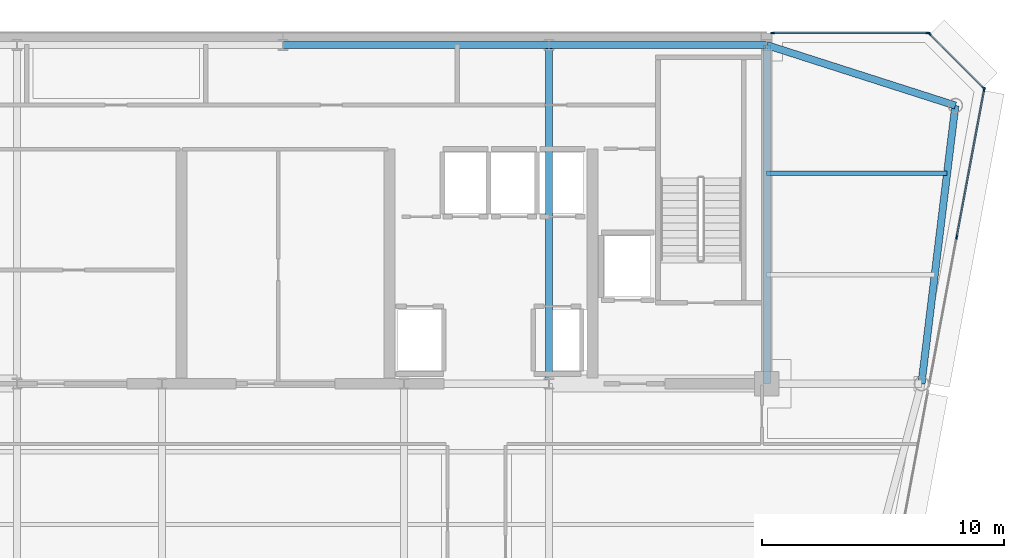
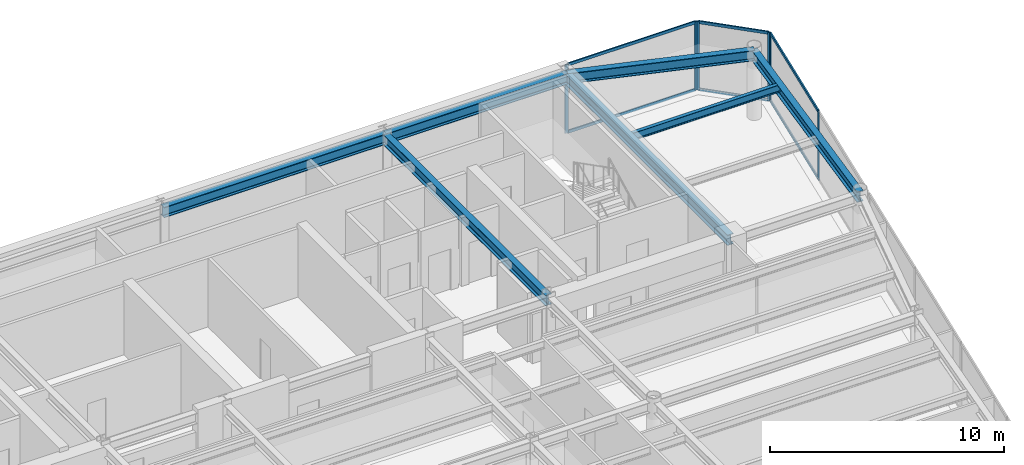
# One storey, part 8 of 18: 12 members, 7 beams, 3 elements without a shape of their own.
"""IFC4 building model written with IfcOpenShell, lengths in metres."""

from ifc_helpers import new_model, si_unit, direction, frame, origin, origin_2d, place, context, subcontext, project, spatial, rectangle, i_section, extrude, source, transform, mapped, material, layer, layer_set, material_profile, profile_set, type_object, element, aggregate, save


model = new_model("IFC4")

# Units and contexts
model_context = context("Model", 3, precision=1e-05, world=origin(), true_north=direction((0.0, 1.0)))
body_context = subcontext(model_context, "Body", "Model", "MODEL_VIEW")
ifc_project = project(units=[si_unit("LENGTHUNIT", "METRE"), si_unit("AREAUNIT", "SQUARE_METRE"), si_unit("VOLUMEUNIT", "CUBIC_METRE"), si_unit("PLANEANGLEUNIT", "RADIAN"), si_unit("MASSUNIT", "GRAM", prefix="KILO")], contexts=[model_context])

# Site, building, storey
site_placement = place(None, origin())
site = spatial("IfcSite", under=ifc_project, at=site_placement, CompositionType="ELEMENT")
building_placement = place(site_placement, origin())
building = spatial("IfcBuilding", under=site, at=building_placement, Name="Vaeldorn Concourse Tower", CompositionType="ELEMENT")
storey_placement = place(building_placement, frame((0.0, 0.0, 253.60009765625)))
storey = spatial("IfcBuildingStorey", under=building, at=storey_placement, Name="L65", CompositionType="ELEMENT", Elevation=253.60009765625)

# Beams
ifc_material_1 = material(Name="Steel S355", Category="steel")
ifc_material_profile_1 = material_profile(ifc_material_1, i_section(OverallWidth=0.179931640625, OverallDepth=0.39990234375, WebThickness=0.008544921875, FlangeThickness=0.013427734375, FilletRadius=0.02099609375, at=origin_2d()), Name="IPE 400")
ifc_profile_set_1 = profile_set([ifc_material_profile_1], Name="Steel S355")
beam_type_1 = type_object("IfcBeamType", Name="BM-JS-IPE400", PredefinedType="JOIST", material=ifc_profile_set_1)
shared_shape_1 = source(origin(), body_context, "Body", "SweptSolid", [
    extrude(i_section(OverallWidth=0.179931640625, OverallDepth=0.39990234375, WebThickness=0.008544921875, FlangeThickness=0.013427734375, FilletRadius=0.02099609375, at=origin_2d()), origin(), (0.0, 0.0, 1.0), 7.458984375),
])
beam_1_placement = place(storey_placement, frame((54.0, 45.199951171875, 3.3798828125), z_axis=(1.0, 0.0, 0.0), x_axis=(0.0, 1.0, 0.0)))
element("IfcBeam", 1, at=beam_1_placement, inside=storey, type_object=beam_type_1, Name="Beam JS-L65-NE-452", PredefinedType="JOIST", context=body_context, shape_type="MappedRepresentation", body=[
    mapped(shared_shape_1, transform((0.0, 0.0, 0.0), scale=1.0)),
])
ifc_material_profile_2 = material_profile(ifc_material_1, i_section(OverallWidth=0.300048828125, OverallDepth=0.550048828125, WebThickness=0.014892578125, FlangeThickness=0.029052734375, FilletRadius=0.027099609375, at=origin_2d()), Name="HEB 550")
ifc_profile_set_2 = profile_set([ifc_material_profile_2], Name="Steel S355")
beam_type_2 = type_object("IfcBeamType", Name="BM-PG-HEB550", PredefinedType="BEAM", material=ifc_profile_set_2)
shared_shape_2 = source(origin(), body_context, "Body", "SweptSolid", [
    extrude(i_section(OverallWidth=0.300048828125, OverallDepth=0.550048828125, WebThickness=0.014892578125, FlangeThickness=0.029052734375, FilletRadius=0.027099609375, at=origin_2d()), origin(), (0.0, 0.0, 1.0), 9.0),
])
beam_2_placement = place(storey_placement, frame((45.0, 50.5, 3.304931640625), z_axis=(1.0, 0.0, 0.0), x_axis=(0.0, 1.0, 0.0)))
element("IfcBeam", 2, at=beam_2_placement, inside=storey, type_object=beam_type_2, Name="Beam BM-L65-C-HC4-C-HC5", PredefinedType="BEAM", context=body_context, shape_type="MappedRepresentation", body=[
    mapped(shared_shape_2, transform((0.0, 0.0, 0.0), scale=1.0)),
])
shared_shape_3 = source(origin(), body_context, "Body", "SweptSolid", [
    extrude(i_section(OverallWidth=0.300048828125, OverallDepth=0.550048828125, WebThickness=0.014892578125, FlangeThickness=0.029052734375, FilletRadius=0.027099609375, at=origin_2d()), origin(), (0.0, 0.0, 1.0), 11.0),
])
beam_3_placement = place(storey_placement, frame((34.0, 50.5, 3.304931640625), z_axis=(1.0, 0.0, 0.0), x_axis=(0.0, 1.0, 0.0)))
element("IfcBeam", 3, at=beam_3_placement, inside=storey, type_object=beam_type_2, Name="Beam BM-L65-C-HC3-C-HC4", PredefinedType="BEAM", context=body_context, shape_type="MappedRepresentation", body=[
    mapped(shared_shape_3, transform((0.0, 0.0, 0.0), scale=1.0)),
])
shared_shape_4 = source(origin(), body_context, "Body", "SweptSolid", [
    extrude(i_section(OverallWidth=0.300048828125, OverallDepth=0.550048828125, WebThickness=0.014892578125, FlangeThickness=0.029052734375, FilletRadius=0.027099609375, at=origin_2d()), origin(), (0.0, 0.0, 1.0), 14.0),
])
for number, where, z_axis, x_axis, name in (
    (4, (45.0, 36.5, 3.304931640625), (0.0, 1.0, 0.0), (-1.0, 0.0, 0.0), "Beam BM-L65-C-FC5-C-HC4"),
    (5, (54.0, 36.5, 3.304931640625), (0.0, 1.0, 0.0), (-1.0, 0.0, 0.0), "Beam BM-L65-C-FC6-C-HC5"),
):
    element("IfcBeam", number, at=place(storey_placement, frame(where, z_axis=z_axis, x_axis=x_axis)), inside=storey, type_object=beam_type_2, Name=name, PredefinedType="BEAM", context=body_context, shape_type="MappedRepresentation", body=[
        mapped(shared_shape_4, transform((0.0, 0.0, 0.0), scale=1.0)),
    ])
shared_shape_5 = source(origin(), body_context, "Body", "SweptSolid", [
    extrude(i_section(OverallWidth=0.300048828125, OverallDepth=0.550048828125, WebThickness=0.014892578125, FlangeThickness=0.029052734375, FilletRadius=0.027099609375, at=origin_2d()), origin(), (0.0, 0.0, 1.0), 8.19091796875),
])
beam_4_placement = place(storey_placement, frame((54.0, 50.5, 3.304931640625), z_axis=(0.952282843383, -0.305216949396, 0.0), x_axis=(0.305216949396, 0.952282843383, 0.0)))
element("IfcBeam", 6, at=beam_4_placement, inside=storey, type_object=beam_type_2, Name="Beam BM-L65-C-HC5-C-NE1", PredefinedType="BEAM", context=body_context, shape_type="MappedRepresentation", body=[
    mapped(shared_shape_5, transform((0.0, 0.0, 0.0), scale=1.0)),
])
shared_shape_6 = source(origin(), body_context, "Body", "SweptSolid", [
    extrude(i_section(OverallWidth=0.300048828125, OverallDepth=0.550048828125, WebThickness=0.014892578125, FlangeThickness=0.029052734375, FilletRadius=0.027099609375, at=origin_2d()), origin(), (0.0, 0.0, 1.0), 11.5849609375),
])
beam_5_placement = place(storey_placement, frame((61.800048828125, 48.0, 3.304931640625), z_axis=(-0.120859382899, -0.992669637677, 0.0), x_axis=(0.992669637677, -0.120859382899, 0.0)))
element("IfcBeam", 7, at=beam_5_placement, inside=storey, type_object=beam_type_2, Name="Beam BM-L65-C-NE1-C-NE2", PredefinedType="BEAM", context=body_context, shape_type="MappedRepresentation", body=[
    mapped(shared_shape_6, transform((0.0, 0.0, 0.0), scale=1.0)),
])

# Curtain wall, members
ifc_material_2 = material(Name="Anodised Bronze Aluminium", Category="aluminium")
ifc_layer = layer(ifc_material_2, 0.179931640625)
ifc_layer_set = layer_set([ifc_layer], Name="Anodised Bronze Aluminium")
curtain_wall_type = type_object("IfcCurtainWallType", Name="CW-SYS-05", PredefinedType="NOTDEFINED", material=ifc_layer_set)
curtain_wall_1_placement = place(storey_placement, origin())
curtain_wall_1 = element("IfcCurtainWall", 8, at=curtain_wall_1_placement, inside=storey, type_object=curtain_wall_type, Name="Unitised Curtain Wall CW-L65-E07-2", PredefinedType="NOTDEFINED")
ifc_material_profile_3 = material_profile(ifc_material_2, rectangle(XDim=0.06494140625, YDim=0.169921875, at=origin_2d()), Name="CWM 65x170")
ifc_profile_set_3 = profile_set([ifc_material_profile_3], Name="Anodised Bronze Aluminium")
member_type_1 = type_object("IfcMemberType", Name="CWM-BRONZE-170", PredefinedType="MULLION", material=ifc_profile_set_3)
shared_shape_7 = source(origin(), body_context, "Body", "SweptSolid", [
    extrude(rectangle(XDim=0.06494140625, YDim=0.169921875, at=origin_2d()), origin(), (0.0, 0.0, 1.0), 3.579833984375),
])
member_1_placement = place(storey_placement, frame((61.857421875, 42.564208984375, 0.0), z_axis=(0.0, 0.0, 1.0), x_axis=(-0.983102768025, 0.183054493257, 0.0)))
member_1 = element("IfcMember", 9, at=member_1_placement, type_object=member_type_1, Name="CW-05 mullion 2", PredefinedType="MULLION", context=body_context, shape_type="MappedRepresentation", body=[
    mapped(shared_shape_7, transform((0.0, 0.0, 0.0), scale=1.0)),
])
member_2_placement = place(storey_placement, frame((62.994140625, 48.66796875, 0.0), z_axis=(0.0, 0.0, 1.0), x_axis=(-0.983102768025, 0.183054493257, 0.0)))
member_2 = element("IfcMember", 10, at=member_2_placement, type_object=member_type_1, Name="CW-05 mullion 3", PredefinedType="MULLION", context=body_context, shape_type="MappedRepresentation", body=[
    mapped(shared_shape_7, transform((0.0, 0.0, 0.0), scale=1.0)),
])

curtain_wall_2_placement = place(storey_placement, origin())
curtain_wall_2 = element("IfcCurtainWall", 11, at=curtain_wall_2_placement, inside=storey, type_object=curtain_wall_type, Name="Unitised Curtain Wall CW-L65-E08-1", PredefinedType="NOTDEFINED")
member_3_placement = place(storey_placement, frame((62.97705078125, 48.722900390625, 0.0), z_axis=(0.0, 0.0, 1.0), x_axis=(-0.707106781187, -0.707106781187, 0.0)))
member_3 = element("IfcMember", 12, at=member_3_placement, type_object=member_type_1, Name="CW-05 mullion 1", PredefinedType="MULLION", context=body_context, shape_type="MappedRepresentation", body=[
    mapped(shared_shape_7, transform((0.0, 0.0, 0.0), scale=1.0)),
])
member_4_placement = place(storey_placement, frame((60.722900390625, 50.97705078125, 0.0), z_axis=(0.0, 0.0, 1.0), x_axis=(-0.707106781187, -0.707106781187, 0.0)))
member_4 = element("IfcMember", 13, at=member_4_placement, type_object=member_type_1, Name="CW-05 mullion 2", PredefinedType="MULLION", context=body_context, shape_type="MappedRepresentation", body=[
    mapped(shared_shape_7, transform((0.0, 0.0, 0.0), scale=1.0)),
])

curtain_wall_3_placement = place(storey_placement, origin())
curtain_wall_3 = element("IfcCurtainWall", 14, at=curtain_wall_3_placement, inside=storey, type_object=curtain_wall_type, Name="Unitised Curtain Wall CW-L65-E09-1", PredefinedType="NOTDEFINED")
member_5_placement = place(storey_placement, frame((60.66748046875, 51.0, 0.0), z_axis=(0.0, 0.0, 1.0), x_axis=(0.0, -1.0, 0.0)))
member_5 = element("IfcMember", 15, at=member_5_placement, type_object=member_type_1, Name="CW-05 mullion 1", PredefinedType="MULLION", context=body_context, shape_type="MappedRepresentation", body=[
    mapped(shared_shape_7, transform((0.0, 0.0, 0.0), scale=1.0)),
])
member_6_placement = place(storey_placement, frame((54.25244140625, 51.0, 0.0), z_axis=(0.0, 0.0, 1.0), x_axis=(0.0, -1.0, 0.0)))
member_6 = element("IfcMember", 16, at=member_6_placement, type_object=member_type_1, Name="CW-05 mullion 2", PredefinedType="MULLION", context=body_context, shape_type="MappedRepresentation", body=[
    mapped(shared_shape_7, transform((0.0, 0.0, 0.0), scale=1.0)),
])

# Member
ifc_material_profile_4 = material_profile(ifc_material_2, rectangle(XDim=0.06494140625, YDim=0.14990234375, at=origin_2d()), Name="CWT 65x150")
ifc_profile_set_4 = profile_set([ifc_material_profile_4], Name="Anodised Bronze Aluminium")
member_type_2 = type_object("IfcMemberType", Name="CWT-BRONZE-150", PredefinedType="USERDEFINED", material=ifc_profile_set_4)
shared_shape_8 = source(origin(), body_context, "Body", "SweptSolid", [
    extrude(rectangle(XDim=0.06494140625, YDim=0.14990234375, at=origin_2d()), origin(), (0.0, 0.0, 1.0), 3.123046875),
])
member_7_placement = place(storey_placement, frame((62.9541015625, 48.745849609375, 0.032470703125), z_axis=(-0.707106781187, 0.707106781187, 0.0), x_axis=(-0.707106781187, -0.707106781187, 0.0)))
member_7 = element("IfcMember", 17, at=member_7_placement, type_object=member_type_2, Name="CW-05 transom 1.1", ObjectType="TRANSOM", PredefinedType="USERDEFINED", context=body_context, shape_type="MappedRepresentation", body=[
    mapped(shared_shape_8, transform((0.0, 0.0, 0.0), scale=1.0)),
])

member_8_placement = place(storey_placement, frame((62.9541015625, 48.745849609375, 3.54736328125), z_axis=(-0.707106781187, 0.707106781187, 0.0), x_axis=(-0.707106781187, -0.707106781187, 0.0)))
member_8 = element("IfcMember", 18, at=member_8_placement, type_object=member_type_2, Name="CW-05 transom 1.2", ObjectType="TRANSOM", PredefinedType="USERDEFINED", context=body_context, shape_type="MappedRepresentation", body=[
    mapped(shared_shape_8, transform((0.0, 0.0, 0.0), scale=1.0)),
])

aggregate(curtain_wall_2, [member_3, member_4, member_7, member_8])

shared_shape_9 = source(origin(), body_context, "Body", "SweptSolid", [
    extrude(rectangle(XDim=0.06494140625, YDim=0.14990234375, at=origin_2d()), origin(), (0.0, 0.0, 1.0), 6.1435546875),
])
member_9_placement = place(storey_placement, frame((61.863525390625, 42.59619140625, 0.032470703125), z_axis=(0.183038328644, 0.983105777751, 0.0), x_axis=(-0.983105777751, 0.183038328644, 0.0)))
member_9 = element("IfcMember", 19, at=member_9_placement, type_object=member_type_2, Name="CW-05 transom 2.1", ObjectType="TRANSOM", PredefinedType="USERDEFINED", context=body_context, shape_type="MappedRepresentation", body=[
    mapped(shared_shape_9, transform((0.0, 0.0, 0.0), scale=1.0)),
])

member_10_placement = place(storey_placement, frame((61.863525390625, 42.59619140625, 3.54736328125), z_axis=(0.183038328644, 0.983105777751, 0.0), x_axis=(-0.983105777751, 0.183038328644, 0.0)))
member_10 = element("IfcMember", 20, at=member_10_placement, type_object=member_type_2, Name="CW-05 transom 2.2", ObjectType="TRANSOM", PredefinedType="USERDEFINED", context=body_context, shape_type="MappedRepresentation", body=[
    mapped(shared_shape_9, transform((0.0, 0.0, 0.0), scale=1.0)),
])

aggregate(curtain_wall_1, [member_1, member_2, member_9, member_10])

shared_shape_10 = source(origin(), body_context, "Body", "SweptSolid", [
    extrude(rectangle(XDim=0.06494140625, YDim=0.14990234375, at=origin_2d()), origin(), (0.0, 0.0, 1.0), 6.35009765625),
])
member_11_placement = place(storey_placement, frame((60.635009765625, 51.0, 0.032470703125), z_axis=(-1.0, 0.0, 0.0), x_axis=(0.0, -1.0, 0.0)))
member_11 = element("IfcMember", 21, at=member_11_placement, type_object=member_type_2, Name="CW-05 transom 1.1", ObjectType="TRANSOM", PredefinedType="USERDEFINED", context=body_context, shape_type="MappedRepresentation", body=[
    mapped(shared_shape_10, transform((0.0, 0.0, 0.0), scale=1.0)),
])

member_12_placement = place(storey_placement, frame((60.635009765625, 51.0, 3.54736328125), z_axis=(-1.0, 0.0, 0.0), x_axis=(0.0, -1.0, 0.0)))
member_12 = element("IfcMember", 22, at=member_12_placement, type_object=member_type_2, Name="CW-05 transom 1.2", ObjectType="TRANSOM", PredefinedType="USERDEFINED", context=body_context, shape_type="MappedRepresentation", body=[
    mapped(shared_shape_10, transform((0.0, 0.0, 0.0), scale=1.0)),
])

aggregate(curtain_wall_3, [member_5, member_6, member_11, member_12])

save(model, "model.ifc")
